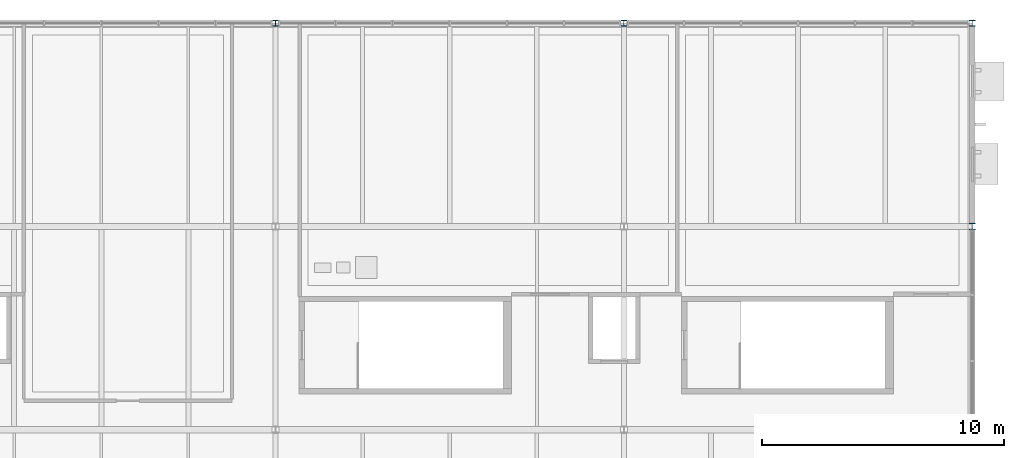
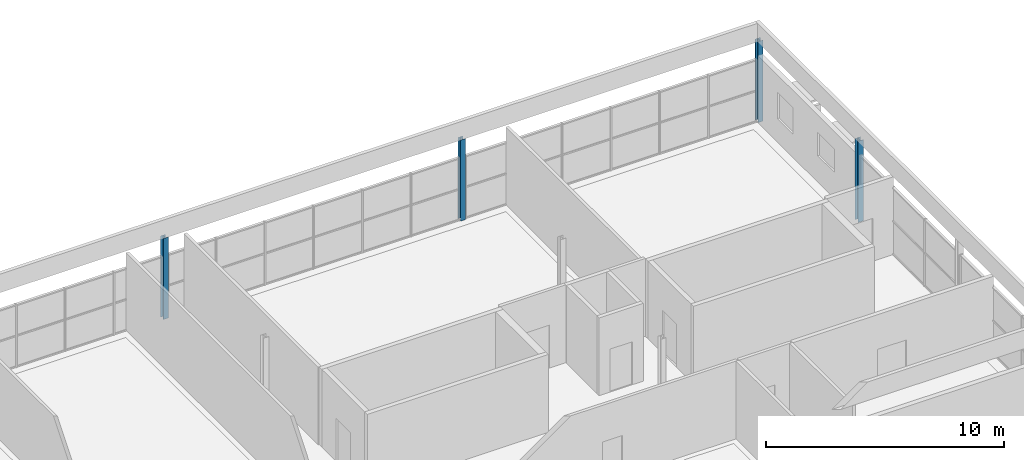
# One storey, part 6 of 43: 4 columns.
"""IFC4 building model written with IfcOpenShell, lengths in metres."""

from ifc_helpers import new_model, si_unit, direction, frame, origin, origin_2d, place, context, subcontext, project, spatial, i_section, extrude, material, material_profile, profile_set, type_object, element, save


model = new_model("IFC4")

# Units and contexts
model_context = context("Model", 3, precision=1e-05, world=origin(), true_north=direction((0.0, 1.0)))
body_context = subcontext(model_context, "Body", "Model", "MODEL_VIEW")
ifc_project = project(units=[si_unit("LENGTHUNIT", "METRE"), si_unit("AREAUNIT", "SQUARE_METRE"), si_unit("VOLUMEUNIT", "CUBIC_METRE"), si_unit("PLANEANGLEUNIT", "RADIAN"), si_unit("MASSUNIT", "GRAM", prefix="KILO"), si_unit("THERMODYNAMICTEMPERATUREUNIT", "KELVIN")], contexts=[model_context])

# Site, building, storey
site_placement = place(None, origin())
site = spatial("IfcSite", under=ifc_project, at=site_placement, CompositionType="ELEMENT")
building_placement = place(site_placement, origin())
building = spatial("IfcBuilding", under=site, at=building_placement, Name="Nduvali Passage Aquatics Centre", CompositionType="ELEMENT")
storey_placement = place(building_placement, frame((0.0, 0.0, 17.39990234375)))
storey = spatial("IfcBuildingStorey", under=building, at=storey_placement, Name="L04", CompositionType="ELEMENT", Elevation=17.39990234375)

# Columns
ifc_material = material(Name="Steel S355", Category="steel")
ifc_material_profile_1 = material_profile(ifc_material, i_section(OverallWidth=0.239990234375, OverallDepth=0.22998046875, WebThickness=0.007568359375, FlangeThickness=0.011962890625, FilletRadius=0.02099609375, at=origin_2d()), Name="HEA 240")
ifc_profile_set_1 = profile_set([ifc_material_profile_1], Name="Steel S355")
column_type_1 = type_object("IfcColumnType", Name="STR-COL-HEA240-EXT", PredefinedType="COLUMN", material=ifc_profile_set_1)
for number, where, z_axis, x_axis, name in (
    (1, (97.199951171875, 117.60009765625, 0.0), (0.0, 0.0, 1.0), (1.0, 0.0, 0.0), "L04 Column C10AE (97.2, 117.6)"),
    (2, (111.60009765625, 117.60009765625, 0.0), (0.0, 0.0, 1.0), (1.0, 0.0, 0.0), "L04 Column C10AE (111.6, 117.6)"),
    (3, (126.0, 117.60009765625, 0.0), (0.0, 0.0, 1.0), (1.0, 0.0, 0.0), "L04 Column C10AE (126.0, 117.6)"),
):
    element("IfcColumn", number, at=place(storey_placement, frame(where, z_axis=z_axis, x_axis=x_axis)), inside=storey, type_object=column_type_1, Name=name, PredefinedType="COLUMN", context=body_context, shape_type="SweptSolid", body=[
        extrude(i_section(OverallWidth=0.239990234375, OverallDepth=0.22998046875, WebThickness=0.007568359375, FlangeThickness=0.011962890625, FilletRadius=0.02099609375, at=origin_2d()), origin(), (0.0, 0.0, 1.0), 4.150146484375),
    ])
ifc_material_profile_2 = material_profile(ifc_material, i_section(OverallWidth=0.260009765625, OverallDepth=0.260009765625, WebThickness=0.010009765625, FlangeThickness=0.017578125, FilletRadius=0.02392578125, at=origin_2d()), Name="HEB 260")
ifc_profile_set_2 = profile_set([ifc_material_profile_2], Name="Steel S355")
column_type_2 = type_object("IfcColumnType", Name="STR-COL-HEB260-EXT", PredefinedType="COLUMN", material=ifc_profile_set_2)
column_placement = place(storey_placement, frame((126.0, 109.199951171875, 0.0), z_axis=(0.0, 0.0, 1.0), x_axis=(1.0, 0.0, 0.0)))
element("IfcColumn", 4, at=column_placement, inside=storey, type_object=column_type_2, Name="L04 Column C10E (126.0, 109.2)", PredefinedType="COLUMN", context=body_context, shape_type="SweptSolid", body=[
    extrude(i_section(OverallWidth=0.260009765625, OverallDepth=0.260009765625, WebThickness=0.010009765625, FlangeThickness=0.017578125, FilletRadius=0.02392578125, at=origin_2d()), origin(), (0.0, 0.0, 1.0), 4.150146484375),
])

save(model, "model.ifc")
